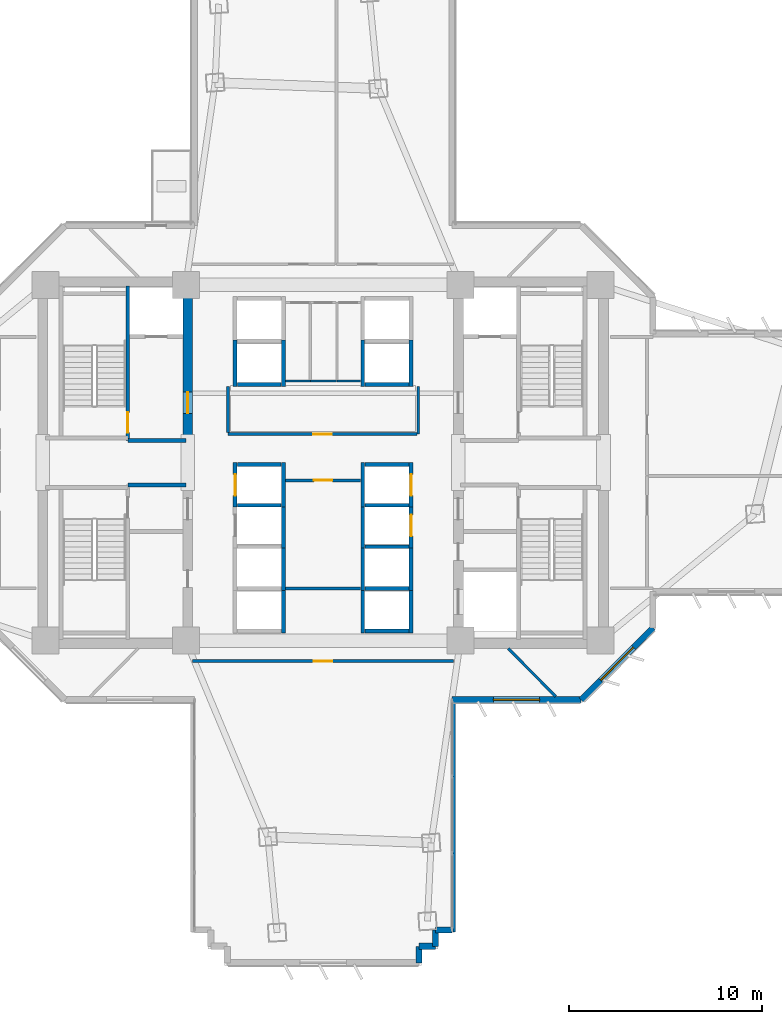
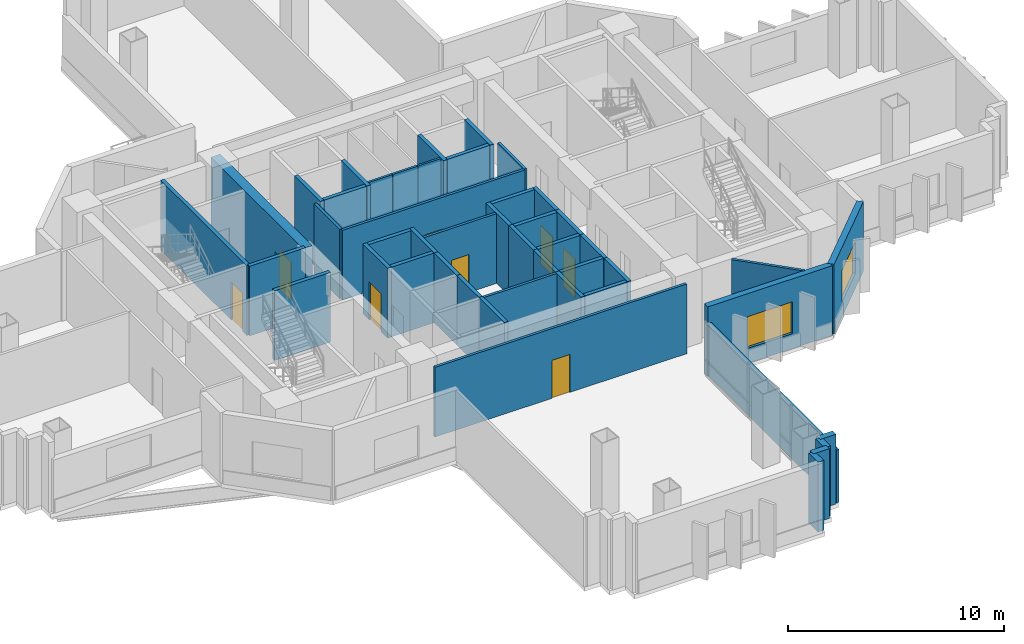
# One storey, part 6 of 14: 47 walls, 8 doors, 2 windows, 10 openings.
"""IFC4 building model written with IfcOpenShell, lengths in metres."""

from ifc_helpers import new_model, si_unit, direction, frame, frame_2d, origin, place, context, subcontext, project, spatial, rectangle, extrude, source, transform, mapped, material, layer, layer_set, type_object, element, fill, save


model = new_model("IFC4")

# Units and contexts
model_context = context("Model", 3, precision=1e-05, world=origin(), true_north=direction((0.0, 1.0)))
body_context = subcontext(model_context, "Body", "Model", "MODEL_VIEW")
ifc_project = project(units=[si_unit("LENGTHUNIT", "METRE"), si_unit("AREAUNIT", "SQUARE_METRE"), si_unit("VOLUMEUNIT", "CUBIC_METRE"), si_unit("PLANEANGLEUNIT", "RADIAN"), si_unit("MASSUNIT", "GRAM", prefix="KILO")], contexts=[model_context])

# Site, building, storey
site_placement = place(None, origin())
site = spatial("IfcSite", under=ifc_project, at=site_placement, CompositionType="ELEMENT")
building_placement = place(site_placement, origin())
building = spatial("IfcBuilding", under=site, at=building_placement, Name="Zahravan Cultural Tower", CompositionType="ELEMENT")
storey_placement = place(building_placement, frame((0.0, 0.0, 33.300048828125)))
storey = spatial("IfcBuildingStorey", under=building, at=storey_placement, Name="L06", CompositionType="ELEMENT", Elevation=33.300048828125)

# Wall, opening, door
ifc_material_1 = material(Name="Concrete C60/75", Category="concrete")
ifc_layer_1 = layer(ifc_material_1, 0.5)
ifc_layer_set_1 = layer_set([ifc_layer_1], Name="Concrete C60/75")
wall_type_1 = type_object("IfcWallType", Name="CW-SHEAR-500-C60", PredefinedType="SHEAR", material=ifc_layer_set_1)
wall_1_placement = place(storey_placement, frame((29.0, 28.050048828125, 0.0), z_axis=(0.0, 0.0, 1.0), x_axis=(0.0, 1.0, 0.0)))
wall_1 = element("IfcWall", 1, at=wall_1_placement, inside=storey, type_object=wall_type_1, Name="L06 Core Shear Wall CW-W-EN-L06", PredefinedType="SHEAR", context=body_context, shape_type="SweptSolid", body=[
    extrude(rectangle(XDim=8.550048828125, YDim=0.5, at=frame_2d((4.27490234375, 0.0))), origin(), (0.0, 0.0, 1.0), 3.949951171875),
])
opening_1_placement = place(wall_1_placement, frame((1.5, 0.0, 0.0)))
opening_1 = element("IfcOpeningElement", 2, at=opening_1_placement, cuts=wall_1, Name="Opening D-L06-05", PredefinedType="OPENING", context=body_context, shape_type="SweptSolid", body=[
    extrude(rectangle(XDim=1.10009765625, YDim=2.199951171875, at=frame_2d((0.550048828125, 1.10009765625))), frame((0.0, 0.260009765625, 0.0), z_axis=(0.0, -1.0, 0.0), x_axis=(1.0, 0.0, 0.0)), (0.0, 0.0, 1.0), 0.52001953125),
])
ifc_material_2 = material(Name="Steel ASTM A572 Grade 50", Category="steel")
door_type_1 = type_object("IfcDoorType", Name="DR-LOBBY-1100", OperationType="NOTDEFINED", PredefinedType="DOOR", material=ifc_material_2)
shared_shape_1 = source(origin(), body_context, "Body", "SweptSolid", [
    extrude(rectangle(XDim=1.10009765625, YDim=2.199951171875, at=frame_2d((0.550048828125, 1.10009765625))), frame((0.0, 0.02490234375, 0.0), z_axis=(0.0, -1.0, 0.0), x_axis=(1.0, 0.0, 0.0)), (0.0, 0.0, 1.0), 0.050048828125),
])
door_1_placement = place(opening_1_placement, origin())
door_1 = element("IfcDoor", 3, at=door_1_placement, inside=storey, type_object=door_type_1, Name="L06 Door D-L06-05", OperationType="SINGLE_SWING_RIGHT", OverallHeight=2.199951171875, OverallWidth=1.10009765625, PredefinedType="DOOR", context=body_context, shape_type="MappedRepresentation", body=[
    mapped(shared_shape_1, transform((0.0, 0.0, 0.0), x_axis=(1.0, 0.0, 0.0), y_axis=(0.0, 1.0, 0.0), z_axis=(0.0, 0.0, 1.0), scale=1.0)),
])
fill(opening_1, door_1)

# Wall, opening, window
ifc_material_3 = material(Name="Precast concrete C40/50", Category="concrete")
ifc_layer_2 = layer(ifc_material_3, 0.320068359375)
ifc_layer_set_2 = layer_set([ifc_layer_2], Name="Precast concrete C40/50")
wall_type_2 = type_object("IfcWallType", Name="EW-TC-320", PredefinedType="SOLIDWALL", material=ifc_layer_set_2)
wall_2_placement = place(storey_placement, frame((53.06005859375, 18.4580078125, 0.0), z_axis=(0.0, 0.0, 1.0), x_axis=(-0.707106781187, -0.707106781187, 0.0)))
wall_2 = element("IfcWall", 4, at=wall_2_placement, inside=storey, type_object=wall_type_2, Name="L06 Exterior Masonry Frame Wall 13", PredefinedType="SOLIDWALL", context=body_context, shape_type="SweptSolid", body=[
    extrude(rectangle(XDim=5.258056640625, YDim=0.320068359375, at=frame_2d((2.62890625, 0.0))), origin(), (0.0, 0.0, 1.0), 3.949951171875),
])
opening_2_placement = place(wall_2_placement, frame((1.428955078125, 0.0, 0.85009765625)))
opening_2 = element("IfcOpeningElement", 5, at=opening_2_placement, cuts=wall_2, Name="Opening WN-01", PredefinedType="OPENING", context=body_context, shape_type="SweptSolid", body=[
    extrude(rectangle(XDim=2.39990234375, YDim=1.800048828125, at=frame_2d((1.199951171875, 0.89990234375))), frame((0.0, 0.169921875, 0.0), z_axis=(0.0, -1.0, 0.0), x_axis=(1.0, 0.0, 0.0)), (0.0, 0.0, 1.0), 0.340087890625),
])
ifc_material_4 = material(Name="Low-E solar-control double glazing", Category="glass")
window_type = type_object("IfcWindowType", Name="WN-REC-2400X1800", PartitioningType="DOUBLE_PANEL_VERTICAL", PredefinedType="WINDOW", material=ifc_material_4)
shared_shape_2 = source(origin(), body_context, "Body", "SweptSolid", [
    extrude(rectangle(XDim=2.39990234375, YDim=1.800048828125, at=frame_2d((1.199951171875, 0.89990234375))), frame((0.0, 0.030029296875, 0.0), z_axis=(0.0, -1.0, 0.0), x_axis=(1.0, 0.0, 0.0)), (0.0, 0.0, 1.0), 0.06005859375),
])
window_1_placement = place(opening_2_placement, origin())
window_1 = element("IfcWindow", 6, at=window_1_placement, inside=storey, type_object=window_type, Name="L06 Recessed Solar Window 03", OverallHeight=1.800048828125, OverallWidth=2.39990234375, PartitioningType="DOUBLE_PANEL_VERTICAL", PredefinedType="WINDOW", context=body_context, shape_type="MappedRepresentation", body=[
    mapped(shared_shape_2, transform((0.0, 0.0, 0.0), x_axis=(1.0, 0.0, 0.0), y_axis=(0.0, 1.0, 0.0), z_axis=(0.0, 0.0, 1.0), scale=1.0)),
])
fill(opening_2, window_1)

wall_3_placement = place(storey_placement, frame((49.342041015625, 14.739990234375, 0.0), z_axis=(0.0, 0.0, 1.0), x_axis=(-1.0, 0.0, 0.0)))
wall_3 = element("IfcWall", 7, at=wall_3_placement, inside=storey, type_object=wall_type_2, Name="L06 Exterior Masonry Frame Wall 14", PredefinedType="SOLIDWALL", context=body_context, shape_type="SweptSolid", body=[
    extrude(rectangle(XDim=6.68212890625, YDim=0.320068359375, at=frame_2d((3.341064453125, 0.0))), origin(), (0.0, 0.0, 1.0), 3.949951171875),
])
opening_3_placement = place(wall_3_placement, frame((2.14111328125, 0.0, 0.85009765625)))
opening_3 = element("IfcOpeningElement", 8, at=opening_3_placement, cuts=wall_3, Name="Opening WN-01", PredefinedType="OPENING", context=body_context, shape_type="SweptSolid", body=[
    extrude(rectangle(XDim=2.39990234375, YDim=1.800048828125, at=frame_2d((1.199951171875, 0.89990234375))), frame((0.0, 0.169921875, 0.0), z_axis=(0.0, -1.0, 0.0), x_axis=(1.0, 0.0, 0.0)), (0.0, 0.0, 1.0), 0.340087890625),
])
window_2_placement = place(opening_3_placement, origin())
window_2 = element("IfcWindow", 9, at=window_2_placement, inside=storey, type_object=window_type, Name="L06 Recessed Solar Window 04", OverallHeight=1.800048828125, OverallWidth=2.39990234375, PartitioningType="DOUBLE_PANEL_VERTICAL", PredefinedType="WINDOW", context=body_context, shape_type="MappedRepresentation", body=[
    mapped(shared_shape_2, transform((0.0, 0.0, 0.0), x_axis=(1.0, 0.0, 0.0), y_axis=(0.0, 1.0, 0.0), z_axis=(0.0, 0.0, 1.0), scale=1.0)),
])
fill(opening_3, window_2)

# Wall, opening, door
ifc_material_5 = material(Name="Gypsum plasterboard partition")
ifc_layer_3 = layer(ifc_material_5, 0.139892578125)
ifc_layer_set_3 = layer_set([ifc_layer_3], Name="Gypsum plasterboard partition")
wall_type_3 = type_object("IfcWallType", Name="W-PART-140", PredefinedType="PARTITIONING", material=ifc_layer_set_3)
wall_4_placement = place(storey_placement, frame((34.054931640625, 26.080078125, 0.0), z_axis=(0.0, 0.0, 1.0), x_axis=(1.0, 0.0, 0.0)))
wall_4 = element("IfcWall", 10, at=wall_4_placement, inside=storey, type_object=wall_type_3, Name="L06 Interior Wall 074", PredefinedType="PARTITIONING", context=body_context, shape_type="SweptSolid", body=[
    extrude(rectangle(XDim=3.89013671875, YDim=0.139892578125, at=frame_2d((1.945068359375, 0.0))), origin(), (0.0, 0.0, 1.0), 3.949951171875),
])
opening_4_placement = place(wall_4_placement, frame((1.469970703125, 0.0, 0.0)))
opening_4 = element("IfcOpeningElement", 11, at=opening_4_placement, cuts=wall_4, Name="Opening D-L06-14", PredefinedType="OPENING", context=body_context, shape_type="SweptSolid", body=[
    extrude(rectangle(XDim=0.949951171875, YDim=2.14990234375, at=frame_2d((0.47509765625, 1.074951171875))), frame((0.0, 0.079833984375, 0.0), z_axis=(0.0, -1.0, 0.0), x_axis=(1.0, 0.0, 0.0)), (0.0, 0.0, 1.0), 0.159912109375),
])
ifc_material_6 = material(Name="Anodised bronze-aluminium mullion", Category="aluminium")
door_type_2 = type_object("IfcDoorType", Name="DR-ROOM-950", OperationType="NOTDEFINED", PredefinedType="DOOR", material=ifc_material_6)
shared_shape_3 = source(origin(), body_context, "Body", "SweptSolid", [
    extrude(rectangle(XDim=0.949951171875, YDim=2.14990234375, at=frame_2d((0.47509765625, 1.074951171875))), frame((0.0, 0.02490234375, 0.0), z_axis=(0.0, -1.0, 0.0), x_axis=(1.0, 0.0, 0.0)), (0.0, 0.0, 1.0), 0.050048828125),
])
door_2_placement = place(opening_4_placement, origin())
door_2 = element("IfcDoor", 12, at=door_2_placement, inside=storey, type_object=door_type_2, Name="L06 Door D-L06-14", OperationType="SINGLE_SWING_LEFT", OverallHeight=2.14990234375, OverallWidth=0.949951171875, PredefinedType="DOOR", context=body_context, shape_type="MappedRepresentation", body=[
    mapped(shared_shape_3, transform((0.0, 0.0, 0.0), x_axis=(1.0, 0.0, 0.0), y_axis=(0.0, 1.0, 0.0), z_axis=(0.0, 0.0, 1.0), scale=1.0)),
])
fill(opening_4, door_2)

wall_5_placement = place(storey_placement, frame((40.844970703125, 28.47998046875, 0.0), z_axis=(0.0, 0.0, 1.0), x_axis=(-1.0, 0.0, 0.0)))
wall_5 = element("IfcWall", 13, at=wall_5_placement, inside=storey, type_object=wall_type_3, Name="L06 Interior Wall 077", PredefinedType="PARTITIONING", context=body_context, shape_type="SweptSolid", body=[
    extrude(rectangle(XDim=9.764892578125, YDim=0.139892578125, at=frame_2d((4.88232421875, 0.0))), origin(), (0.0, 0.0, 1.0), 3.949951171875),
])
opening_5_placement = place(wall_5_placement, frame((4.407470703125, 0.0, 0.0)))
opening_5 = element("IfcOpeningElement", 14, at=opening_5_placement, cuts=wall_5, Name="Opening D-L06-15", PredefinedType="OPENING", context=body_context, shape_type="SweptSolid", body=[
    extrude(rectangle(XDim=0.949951171875, YDim=2.14990234375, at=frame_2d((0.47509765625, 1.074951171875))), frame((0.0, 0.079833984375, 0.0), z_axis=(0.0, -1.0, 0.0), x_axis=(1.0, 0.0, 0.0)), (0.0, 0.0, 1.0), 0.159912109375),
])
door_3_placement = place(opening_5_placement, origin())
door_3 = element("IfcDoor", 15, at=door_3_placement, inside=storey, type_object=door_type_2, Name="L06 Door D-L06-15", OperationType="SINGLE_SWING_RIGHT", OverallHeight=2.14990234375, OverallWidth=0.949951171875, PredefinedType="DOOR", context=body_context, shape_type="MappedRepresentation", body=[
    mapped(shared_shape_3, transform((0.0, 0.0, 0.0), x_axis=(1.0, 0.0, 0.0), y_axis=(0.0, 1.0, 0.0), z_axis=(0.0, 0.0, 1.0), scale=1.0)),
])
fill(opening_5, door_3)

wall_6_placement = place(storey_placement, frame((29.255859375, 16.739990234375, 0.0), z_axis=(0.0, 0.0, 1.0), x_axis=(1.0, 0.0, 0.0)))
wall_6 = element("IfcWall", 16, at=wall_6_placement, inside=storey, type_object=wall_type_3, Name="L06 Interior Wall 097", PredefinedType="PARTITIONING", context=body_context, shape_type="SweptSolid", body=[
    extrude(rectangle(XDim=13.48828125, YDim=0.139892578125, at=frame_2d((6.744140625, 0.0))), origin(), (0.0, 0.0, 1.0), 3.949951171875),
])
opening_6_placement = place(wall_6_placement, frame((6.26904296875, 0.0, 0.0)))
opening_6 = element("IfcOpeningElement", 17, at=opening_6_placement, cuts=wall_6, Name="Opening D-L06-22", PredefinedType="OPENING", context=body_context, shape_type="SweptSolid", body=[
    extrude(rectangle(XDim=0.949951171875, YDim=2.14990234375, at=frame_2d((0.47509765625, 1.074951171875))), frame((0.0, 0.079833984375, 0.0), z_axis=(0.0, -1.0, 0.0), x_axis=(1.0, 0.0, 0.0)), (0.0, 0.0, 1.0), 0.159912109375),
])
door_4_placement = place(opening_6_placement, origin())
door_4 = element("IfcDoor", 18, at=door_4_placement, inside=storey, type_object=door_type_2, Name="L06 Door D-L06-22", OperationType="SINGLE_SWING_LEFT", OverallHeight=2.14990234375, OverallWidth=0.949951171875, PredefinedType="DOOR", context=body_context, shape_type="MappedRepresentation", body=[
    mapped(shared_shape_3, transform((0.0, 0.0, 0.0), x_axis=(1.0, 0.0, 0.0), y_axis=(0.0, 1.0, 0.0), z_axis=(0.0, 0.0, 1.0), scale=1.0)),
])
fill(opening_6, door_4)

ifc_material_7 = material(Name="Concrete C45/55", Category="concrete")
ifc_layer_4 = layer(ifc_material_7, 0.199951171875)
ifc_layer_set_4 = layer_set([ifc_layer_4], Name="Concrete C45/55")
wall_type_4 = type_object("IfcWallType", Name="W-SHAFT-200", PredefinedType="SOLIDWALL", material=ifc_layer_set_4)
wall_7_placement = place(storey_placement, frame((25.89990234375, 28.14990234375, 0.0), z_axis=(0.0, 0.0, 1.0), x_axis=(0.0, 1.0, 0.0)))
wall_7 = element("IfcWall", 19, at=wall_7_placement, inside=storey, type_object=wall_type_4, Name="L06 Interior Wall 006", PredefinedType="SOLIDWALL", context=body_context, shape_type="SweptSolid", body=[
    extrude(rectangle(XDim=8.0, YDim=0.199951171875, at=frame_2d((4.0, 0.0))), origin(), (0.0, 0.0, 1.0), 3.949951171875),
])
opening_7_placement = place(wall_7_placement, frame((0.39990234375, 0.0, 0.0)))
opening_7 = element("IfcOpeningElement", 20, at=opening_7_placement, cuts=wall_7, Name="Opening D-L06-01", PredefinedType="OPENING", context=body_context, shape_type="SweptSolid", body=[
    extrude(rectangle(XDim=1.050048828125, YDim=2.14990234375, at=frame_2d((0.52490234375, 1.074951171875))), frame((0.0, 0.10986328125, 0.0), z_axis=(0.0, -1.0, 0.0), x_axis=(1.0, 0.0, 0.0)), (0.0, 0.0, 1.0), 0.219970703125),
])
door_type_3 = type_object("IfcDoorType", Name="DR-STAIR-1050", OperationType="NOTDEFINED", PredefinedType="DOOR", material=ifc_material_2)
shared_shape_4 = source(origin(), body_context, "Body", "SweptSolid", [
    extrude(rectangle(XDim=1.050048828125, YDim=2.14990234375, at=frame_2d((0.52490234375, 1.074951171875))), frame((0.0, 0.02490234375, 0.0), z_axis=(0.0, -1.0, 0.0), x_axis=(1.0, 0.0, 0.0)), (0.0, 0.0, 1.0), 0.050048828125),
])
door_5_placement = place(opening_7_placement, origin())
door_5 = element("IfcDoor", 21, at=door_5_placement, inside=storey, type_object=door_type_3, Name="L06 Door D-L06-01", OperationType="SINGLE_SWING_RIGHT", OverallHeight=2.14990234375, OverallWidth=1.050048828125, PredefinedType="DOOR", context=body_context, shape_type="MappedRepresentation", body=[
    mapped(shared_shape_4, transform((0.0, 0.0, 0.0), x_axis=(1.0, 0.0, 0.0), y_axis=(0.0, 1.0, 0.0), z_axis=(0.0, 0.0, 1.0), scale=1.0)),
])
fill(opening_7, door_5)

wall_8_placement = place(storey_placement, frame((31.449951171875, 24.699951171875, 0.0), z_axis=(0.0, 0.0, 1.0), x_axis=(0.0, 1.0, 0.0)))
wall_8 = element("IfcWall", 22, at=wall_8_placement, inside=storey, type_object=wall_type_4, Name="L06 Interior Wall 054", PredefinedType="SOLIDWALL", context=body_context, shape_type="SweptSolid", body=[
    extrude(rectangle(XDim=2.300048828125, YDim=0.199951171875, at=frame_2d((1.14990234375, 0.0))), origin(), (0.0, 0.0, 1.0), 3.949951171875),
])
opening_8_placement = place(wall_8_placement, frame((0.60009765625, 0.0, 0.0)))
opening_8 = element("IfcOpeningElement", 23, at=opening_8_placement, cuts=wall_8, Name="Opening LD-L06-04", PredefinedType="OPENING", context=body_context, shape_type="SweptSolid", body=[
    extrude(rectangle(XDim=1.10009765625, YDim=2.14990234375, at=frame_2d((0.550048828125, 1.074951171875))), frame((0.0, 0.10986328125, 0.0), z_axis=(0.0, -1.0, 0.0), x_axis=(1.0, 0.0, 0.0)), (0.0, 0.0, 1.0), 0.219970703125),
])
door_type_4 = type_object("IfcDoorType", Name="DR-LIFT-1100", OperationType="DOUBLE_DOOR_SLIDING", PredefinedType="DOOR", material=ifc_material_2)
shared_shape_5 = source(origin(), body_context, "Body", "SweptSolid", [
    extrude(rectangle(XDim=1.10009765625, YDim=2.14990234375, at=frame_2d((0.550048828125, 1.074951171875))), frame((0.0, 0.02490234375, 0.0), z_axis=(0.0, -1.0, 0.0), x_axis=(1.0, 0.0, 0.0)), (0.0, 0.0, 1.0), 0.050048828125),
])
door_6_placement = place(opening_8_placement, origin())
door_6 = element("IfcDoor", 24, at=door_6_placement, inside=storey, type_object=door_type_4, Name="L06 Door LD-L06-04", OperationType="DOUBLE_DOOR_SLIDING", OverallHeight=2.14990234375, OverallWidth=1.10009765625, PredefinedType="DOOR", context=body_context, shape_type="MappedRepresentation", body=[
    mapped(shared_shape_5, transform((0.0, 0.0, 0.0), x_axis=(1.0, 0.0, 0.0), y_axis=(0.0, 1.0, 0.0), z_axis=(0.0, 0.0, 1.0), scale=1.0)),
])
fill(opening_8, door_6)

wall_9_placement = place(storey_placement, frame((40.550048828125, 24.699951171875, 0.0), z_axis=(0.0, 0.0, 1.0), x_axis=(0.0, 1.0, 0.0)))
wall_9 = element("IfcWall", 25, at=wall_9_placement, inside=storey, type_object=wall_type_4, Name="L06 Interior Wall 061", PredefinedType="SOLIDWALL", context=body_context, shape_type="SweptSolid", body=[
    extrude(rectangle(XDim=2.300048828125, YDim=0.199951171875, at=frame_2d((1.14990234375, 0.0))), origin(), (0.0, 0.0, 1.0), 3.949951171875),
])
opening_9_placement = place(wall_9_placement, frame((0.60009765625, 0.0, 0.0)))
opening_9 = element("IfcOpeningElement", 26, at=opening_9_placement, cuts=wall_9, Name="Opening LD-L06-06", PredefinedType="OPENING", context=body_context, shape_type="SweptSolid", body=[
    extrude(rectangle(XDim=1.10009765625, YDim=2.14990234375, at=frame_2d((0.550048828125, 1.074951171875))), frame((0.0, 0.10986328125, 0.0), z_axis=(0.0, -1.0, 0.0), x_axis=(1.0, 0.0, 0.0)), (0.0, 0.0, 1.0), 0.219970703125),
])
door_7_placement = place(opening_9_placement, origin())
door_7 = element("IfcDoor", 27, at=door_7_placement, inside=storey, type_object=door_type_4, Name="L06 Door LD-L06-06", OperationType="DOUBLE_DOOR_SLIDING", OverallHeight=2.14990234375, OverallWidth=1.10009765625, PredefinedType="DOOR", context=body_context, shape_type="MappedRepresentation", body=[
    mapped(shared_shape_5, transform((0.0, 0.0, 0.0), x_axis=(1.0, 0.0, 0.0), y_axis=(0.0, 1.0, 0.0), z_axis=(0.0, 0.0, 1.0), scale=1.0)),
])
fill(opening_9, door_7)

wall_10_placement = place(storey_placement, frame((40.550048828125, 22.60009765625, 0.0), z_axis=(0.0, 0.0, 1.0), x_axis=(0.0, 1.0, 0.0)))
wall_10 = element("IfcWall", 28, at=wall_10_placement, inside=storey, type_object=wall_type_4, Name="L06 Interior Wall 065", PredefinedType="SOLIDWALL", context=body_context, shape_type="SweptSolid", body=[
    extrude(rectangle(XDim=2.2998046875, YDim=0.199951171875, at=frame_2d((1.14990234375, 0.0))), origin(), (0.0, 0.0, 1.0), 3.949951171875),
])
opening_10_placement = place(wall_10_placement, frame((0.60009765625, 0.0, 0.0)))
opening_10 = element("IfcOpeningElement", 29, at=opening_10_placement, cuts=wall_10, Name="Opening LD-L06-07", PredefinedType="OPENING", context=body_context, shape_type="SweptSolid", body=[
    extrude(rectangle(XDim=1.10009765625, YDim=2.14990234375, at=frame_2d((0.550048828125, 1.074951171875))), frame((0.0, 0.10986328125, 0.0), z_axis=(0.0, -1.0, 0.0), x_axis=(1.0, 0.0, 0.0)), (0.0, 0.0, 1.0), 0.219970703125),
])
door_8_placement = place(opening_10_placement, origin())
door_8 = element("IfcDoor", 30, at=door_8_placement, inside=storey, type_object=door_type_4, Name="L06 Door LD-L06-07", OperationType="DOUBLE_DOOR_SLIDING", OverallHeight=2.14990234375, OverallWidth=1.10009765625, PredefinedType="DOOR", context=body_context, shape_type="MappedRepresentation", body=[
    mapped(shared_shape_5, transform((0.0, 0.0, 0.0), x_axis=(1.0, 0.0, 0.0), y_axis=(0.0, 1.0, 0.0), z_axis=(0.0, 0.0, 1.0), scale=1.0)),
])
fill(opening_10, door_8)

# Walls
shared_shape_6 = source(origin(), body_context, "Body", "SweptSolid", [
    extrude(rectangle(XDim=0.849853515625, YDim=0.320068359375, at=frame_2d((0.4248046875, 0.0))), origin(), (0.0, 0.0, 1.0), 3.949951171875),
])
wall_11_placement = place(storey_placement, frame((42.659912109375, 2.840087890625, 0.0), z_axis=(0.0, 0.0, 1.0), x_axis=(-1.0, 0.0, 0.0)))
element("IfcWall", 31, at=wall_11_placement, inside=storey, type_object=wall_type_2, Name="L06 Exterior Masonry Frame Wall 15", PredefinedType="SOLIDWALL", context=body_context, shape_type="MappedRepresentation", body=[
    mapped(shared_shape_6, transform((0.0, 0.0, 0.0), x_axis=(1.0, 0.0, 0.0), y_axis=(0.0, 1.0, 0.0), z_axis=(0.0, 0.0, 1.0), scale=1.0)),
])
shared_shape_7 = source(origin(), body_context, "Body", "SweptSolid", [
    extrude(rectangle(XDim=0.85009765625, YDim=0.320068359375, at=frame_2d((0.425048828125, 0.0))), origin(), (0.0, 0.0, 1.0), 3.949951171875),
])
for number, where, z_axis, x_axis, name in (
    (32, (41.81005859375, 2.840087890625, 0.0), (0.0, 0.0, 1.0), (0.0, -1.0, 0.0), "L06 Exterior Masonry Frame Wall 16"),
    (33, (41.81005859375, 1.989990234375, 0.0), (0.0, 0.0, 1.0), (-1.0, 0.0, 0.0), "L06 Exterior Masonry Frame Wall 17"),
    (34, (40.9599609375, 1.989990234375, 0.0), (0.0, 0.0, 1.0), (0.0, -1.0, 0.0), "L06 Exterior Masonry Frame Wall 18"),
):
    element("IfcWall", number, at=place(storey_placement, frame(where, z_axis=z_axis, x_axis=x_axis)), inside=storey, type_object=wall_type_2, Name=name, PredefinedType="SOLIDWALL", context=body_context, shape_type="MappedRepresentation", body=[
        mapped(shared_shape_7, transform((0.0, 0.0, 0.0), x_axis=(1.0, 0.0, 0.0), y_axis=(0.0, 1.0, 0.0), z_axis=(0.0, 0.0, 1.0), scale=1.0)),
    ])
shared_shape_8 = source(origin(), body_context, "Body", "SweptSolid", [
    extrude(rectangle(XDim=3.0, YDim=0.199951171875, at=frame_2d((1.5, 0.0))), origin(), (0.0, 0.0, 1.0), 3.949951171875),
])
for number, where, z_axis, x_axis, name in (
    (35, (25.89990234375, 25.85009765625, 0.0), (0.0, 0.0, 1.0), (1.0, 0.0, 0.0), "L06 Interior Wall 010"),
    (36, (25.89990234375, 28.14990234375, 0.0), (0.0, 0.0, 1.0), (1.0, 0.0, 0.0), "L06 Interior Wall 012"),
):
    element("IfcWall", number, at=place(storey_placement, frame(where, z_axis=z_axis, x_axis=x_axis)), inside=storey, type_object=wall_type_4, Name=name, PredefinedType="SOLIDWALL", context=body_context, shape_type="MappedRepresentation", body=[
        mapped(shared_shape_8, transform((0.0, 0.0, 0.0), x_axis=(1.0, 0.0, 0.0), y_axis=(0.0, 1.0, 0.0), z_axis=(0.0, 0.0, 1.0), scale=1.0)),
    ])
shared_shape_9 = source(origin(), body_context, "Body", "SweptSolid", [
    extrude(rectangle(XDim=2.400146484375, YDim=0.199951171875, at=frame_2d((1.2001953125, 0.0))), origin(), (0.0, 0.0, 1.0), 3.949951171875),
])
for number, where, z_axis, x_axis, name in (
    (37, (31.449951171875, 30.949951171875, 0.0), (0.0, 0.0, 1.0), (0.0, 1.0, 0.0), "L06 Interior Wall 030"),
    (38, (33.949951171875, 30.949951171875, 0.0), (0.0, 0.0, 1.0), (0.0, 1.0, 0.0), "L06 Interior Wall 031"),
    (39, (38.050048828125, 30.949951171875, 0.0), (0.0, 0.0, 1.0), (0.0, 1.0, 0.0), "L06 Interior Wall 037"),
    (40, (40.550048828125, 30.949951171875, 0.0), (0.0, 0.0, 1.0), (0.0, 1.0, 0.0), "L06 Interior Wall 038"),
):
    element("IfcWall", number, at=place(storey_placement, frame(where, z_axis=z_axis, x_axis=x_axis)), inside=storey, type_object=wall_type_4, Name=name, PredefinedType="SOLIDWALL", context=body_context, shape_type="MappedRepresentation", body=[
        mapped(shared_shape_9, transform((0.0, 0.0, 0.0), x_axis=(1.0, 0.0, 0.0), y_axis=(0.0, 1.0, 0.0), z_axis=(0.0, 0.0, 1.0), scale=1.0)),
    ])
shared_shape_10 = source(origin(), body_context, "Body", "SweptSolid", [
    extrude(rectangle(XDim=2.260009765625, YDim=0.199951171875, at=frame_2d((1.1298828125, 0.0))), origin(), (0.0, 0.0, 1.0), 3.949951171875),
])
for number, where, z_axis, x_axis, name in (
    (41, (31.570068359375, 31.050048828125, 0.0), (0.0, 0.0, 1.0), (1.0, 0.0, 0.0), "L06 Interior Wall 032"),
    (42, (38.169921875, 31.050048828125, 0.0), (0.0, 0.0, 1.0), (1.0, 0.0, 0.0), "L06 Interior Wall 039"),
    (43, (38.169921875, 20.5, 0.0), (0.0, 0.0, 1.0), (1.0, 0.0, 0.0), "L06 Interior Wall 049"),
    (44, (38.169921875, 22.64990234375, 0.0), (0.0, 0.0, 1.0), (1.0, 0.0, 0.0), "L06 Interior Wall 050"),
    (45, (38.169921875, 18.300048828125, 0.0), (0.0, 0.0, 1.0), (1.0, 0.0, 0.0), "L06 Interior Wall 053"),
    (46, (31.570068359375, 24.800048828125, 0.0), (0.0, 0.0, 1.0), (1.0, 0.0, 0.0), "L06 Interior Wall 056"),
    (47, (31.570068359375, 26.89990234375, 0.0), (0.0, 0.0, 1.0), (1.0, 0.0, 0.0), "L06 Interior Wall 057"),
    (48, (38.169921875, 24.800048828125, 0.0), (0.0, 0.0, 1.0), (1.0, 0.0, 0.0), "L06 Interior Wall 062"),
    (49, (38.169921875, 26.89990234375, 0.0), (0.0, 0.0, 1.0), (1.0, 0.0, 0.0), "L06 Interior Wall 063"),
):
    element("IfcWall", number, at=place(storey_placement, frame(where, z_axis=z_axis, x_axis=x_axis)), inside=storey, type_object=wall_type_4, Name=name, PredefinedType="SOLIDWALL", context=body_context, shape_type="MappedRepresentation", body=[
        mapped(shared_shape_10, transform((0.0, 0.0, 0.0), x_axis=(1.0, 0.0, 0.0), y_axis=(0.0, 1.0, 0.0), z_axis=(0.0, 0.0, 1.0), scale=1.0)),
    ])
shared_shape_11 = source(origin(), body_context, "Body", "SweptSolid", [
    extrude(rectangle(XDim=2.35009765625, YDim=0.199951171875, at=frame_2d((1.175048828125, 0.0))), origin(), (0.0, 0.0, 1.0), 3.949951171875),
])
for number, where, z_axis, x_axis, name in (
    (50, (33.949951171875, 20.39990234375, 0.0), (0.0, 0.0, 1.0), (0.0, 1.0, 0.0), "L06 Interior Wall 041"),
    (51, (33.949951171875, 18.199951171875, 0.0), (0.0, 0.0, 1.0), (0.0, 1.0, 0.0), "L06 Interior Wall 045"),
    (52, (38.050048828125, 20.39990234375, 0.0), (0.0, 0.0, 1.0), (0.0, 1.0, 0.0), "L06 Interior Wall 047"),
    (53, (40.550048828125, 20.39990234375, 0.0), (0.0, 0.0, 1.0), (0.0, 1.0, 0.0), "L06 Interior Wall 048"),
    (54, (38.050048828125, 18.199951171875, 0.0), (0.0, 0.0, 1.0), (0.0, 1.0, 0.0), "L06 Interior Wall 051"),
    (55, (40.550048828125, 18.199951171875, 0.0), (0.0, 0.0, 1.0), (0.0, 1.0, 0.0), "L06 Interior Wall 052"),
):
    element("IfcWall", number, at=place(storey_placement, frame(where, z_axis=z_axis, x_axis=x_axis)), inside=storey, type_object=wall_type_4, Name=name, PredefinedType="SOLIDWALL", context=body_context, shape_type="MappedRepresentation", body=[
        mapped(shared_shape_11, transform((0.0, 0.0, 0.0), x_axis=(1.0, 0.0, 0.0), y_axis=(0.0, 1.0, 0.0), z_axis=(0.0, 0.0, 1.0), scale=1.0)),
    ])
shared_shape_12 = source(origin(), body_context, "Body", "SweptSolid", [
    extrude(rectangle(XDim=2.300048828125, YDim=0.199951171875, at=frame_2d((1.14990234375, 0.0))), origin(), (0.0, 0.0, 1.0), 3.949951171875),
])
for number, where, z_axis, x_axis, name in (
    (56, (33.949951171875, 24.699951171875, 0.0), (0.0, 0.0, 1.0), (0.0, 1.0, 0.0), "L06 Interior Wall 055"),
    (57, (38.050048828125, 24.699951171875, 0.0), (0.0, 0.0, 1.0), (0.0, 1.0, 0.0), "L06 Interior Wall 060"),
):
    element("IfcWall", number, at=place(storey_placement, frame(where, z_axis=z_axis, x_axis=x_axis)), inside=storey, type_object=wall_type_4, Name=name, PredefinedType="SOLIDWALL", context=body_context, shape_type="MappedRepresentation", body=[
        mapped(shared_shape_12, transform((0.0, 0.0, 0.0), x_axis=(1.0, 0.0, 0.0), y_axis=(0.0, 1.0, 0.0), z_axis=(0.0, 0.0, 1.0), scale=1.0)),
    ])
shared_shape_13 = source(origin(), body_context, "Body", "SweptSolid", [
    extrude(rectangle(XDim=2.2998046875, YDim=0.199951171875, at=frame_2d((1.14990234375, 0.0))), origin(), (0.0, 0.0, 1.0), 3.949951171875),
])
for number, where, z_axis, x_axis, name in (
    (58, (33.949951171875, 22.60009765625, 0.0), (0.0, 0.0, 1.0), (0.0, 1.0, 0.0), "L06 Interior Wall 059"),
    (59, (38.050048828125, 22.60009765625, 0.0), (0.0, 0.0, 1.0), (0.0, 1.0, 0.0), "L06 Interior Wall 064"),
):
    element("IfcWall", number, at=place(storey_placement, frame(where, z_axis=z_axis, x_axis=x_axis)), inside=storey, type_object=wall_type_4, Name=name, PredefinedType="SOLIDWALL", context=body_context, shape_type="MappedRepresentation", body=[
        mapped(shared_shape_13, transform((0.0, 0.0, 0.0), x_axis=(1.0, 0.0, 0.0), y_axis=(0.0, 1.0, 0.0), z_axis=(0.0, 0.0, 1.0), scale=1.0)),
    ])
ifc_layer_5 = layer(ifc_material_5, 0.114990234375)
ifc_layer_set_5 = layer_set([ifc_layer_5], Name="Gypsum plasterboard partition")
wall_type_5 = type_object("IfcWallType", Name="W-WC-115", PredefinedType="PARTITIONING", material=ifc_layer_set_5)
shared_shape_14 = source(origin(), body_context, "Body", "SweptSolid", [
    extrude(rectangle(XDim=1.22509765625, YDim=0.114990234375, at=frame_2d((0.612548828125, 0.0))), origin(), (0.0, 0.0, 1.0), 3.949951171875),
])
wall_12_placement = place(storey_placement, frame((37.945068359375, 31.219970703125, 0.0), z_axis=(0.0, 0.0, 1.0), x_axis=(-1.0, 0.0, 0.0)))
element("IfcWall", 60, at=wall_12_placement, inside=storey, type_object=wall_type_5, Name="L06 Interior Wall 066", PredefinedType="PARTITIONING", context=body_context, shape_type="MappedRepresentation", body=[
    mapped(shared_shape_14, transform((0.0, 0.0, 0.0), x_axis=(1.0, 0.0, 0.0), y_axis=(0.0, 1.0, 0.0), z_axis=(0.0, 0.0, 1.0), scale=1.0)),
])
shared_shape_15 = source(origin(), body_context, "Body", "SweptSolid", [
    extrude(rectangle(XDim=1.28515625, YDim=0.114990234375, at=frame_2d((0.642578125, 0.0))), origin(), (0.0, 0.0, 1.0), 3.949951171875),
])
wall_13_placement = place(storey_placement, frame((35.340087890625, 31.219970703125, 0.0), z_axis=(0.0, 0.0, 1.0), x_axis=(-1.0, 0.0, 0.0)))
element("IfcWall", 61, at=wall_13_placement, inside=storey, type_object=wall_type_5, Name="L06 Interior Wall 069", PredefinedType="PARTITIONING", context=body_context, shape_type="MappedRepresentation", body=[
    mapped(shared_shape_15, transform((0.0, 0.0, 0.0), x_axis=(1.0, 0.0, 0.0), y_axis=(0.0, 1.0, 0.0), z_axis=(0.0, 0.0, 1.0), scale=1.0)),
])
shared_shape_16 = source(origin(), body_context, "Body", "SweptSolid", [
    extrude(rectangle(XDim=1.33984375, YDim=0.114990234375, at=frame_2d((0.669921875, 0.0))), origin(), (0.0, 0.0, 1.0), 3.949951171875),
])
wall_14_placement = place(storey_placement, frame((36.699951171875, 31.219970703125, 0.0), z_axis=(0.0, 0.0, 1.0), x_axis=(-1.0, 0.0, 0.0)))
element("IfcWall", 62, at=wall_14_placement, inside=storey, type_object=wall_type_5, Name="L06 Interior Wall 072", PredefinedType="PARTITIONING", context=body_context, shape_type="MappedRepresentation", body=[
    mapped(shared_shape_16, transform((0.0, 0.0, 0.0), x_axis=(1.0, 0.0, 0.0), y_axis=(0.0, 1.0, 0.0), z_axis=(0.0, 0.0, 1.0), scale=1.0)),
])
shared_shape_17 = source(origin(), body_context, "Body", "SweptSolid", [
    extrude(rectangle(XDim=3.89013671875, YDim=0.139892578125, at=frame_2d((1.945068359375, 0.0))), origin(), (0.0, 0.0, 1.0), 3.949951171875),
])
wall_15_placement = place(storey_placement, frame((37.945068359375, 20.489990234375, 0.0), z_axis=(0.0, 0.0, 1.0), x_axis=(-1.0, 0.0, 0.0)))
element("IfcWall", 63, at=wall_15_placement, inside=storey, type_object=wall_type_3, Name="L06 Interior Wall 075", PredefinedType="PARTITIONING", context=body_context, shape_type="MappedRepresentation", body=[
    mapped(shared_shape_17, transform((0.0, 0.0, 0.0), x_axis=(1.0, 0.0, 0.0), y_axis=(0.0, 1.0, 0.0), z_axis=(0.0, 0.0, 1.0), scale=1.0)),
])
shared_shape_18 = source(origin(), body_context, "Body", "SweptSolid", [
    extrude(rectangle(XDim=2.469970703125, YDim=0.139892578125, at=frame_2d((1.23486328125, 0.0))), origin(), (0.0, 0.0, 1.0), 3.949951171875),
])
wall_16_placement = place(storey_placement, frame((40.919921875, 30.949951171875, 0.0), z_axis=(0.0, 0.0, 1.0), x_axis=(0.0, -1.0, 0.0)))
element("IfcWall", 64, at=wall_16_placement, inside=storey, type_object=wall_type_3, Name="L06 Interior Wall 076", PredefinedType="PARTITIONING", context=body_context, shape_type="MappedRepresentation", body=[
    mapped(shared_shape_18, transform((0.0, 0.0, 0.0), x_axis=(1.0, 0.0, 0.0), y_axis=(0.0, 1.0, 0.0), z_axis=(0.0, 0.0, 1.0), scale=1.0)),
])
shared_shape_19 = source(origin(), body_context, "Body", "SweptSolid", [
    extrude(rectangle(XDim=2.39501953125, YDim=0.139892578125, at=frame_2d((1.197509765625, 0.0))), origin(), (0.0, 0.0, 1.0), 3.949951171875),
])
wall_17_placement = place(storey_placement, frame((31.080078125, 28.554931640625, 0.0), z_axis=(0.0, 0.0, 1.0), x_axis=(0.0, 1.0, 0.0)))
element("IfcWall", 65, at=wall_17_placement, inside=storey, type_object=wall_type_3, Name="L06 Interior Wall 078", PredefinedType="PARTITIONING", context=body_context, shape_type="MappedRepresentation", body=[
    mapped(shared_shape_19, transform((0.0, 0.0, 0.0), x_axis=(1.0, 0.0, 0.0), y_axis=(0.0, 1.0, 0.0), z_axis=(0.0, 0.0, 1.0), scale=1.0)),
])
shared_shape_20 = source(origin(), body_context, "Body", "SweptSolid", [
    extrude(rectangle(XDim=3.505126953125, YDim=0.139892578125, at=frame_2d((1.75244140625, 0.0))), origin(), (0.0, 0.0, 1.0), 3.949951171875),
])
wall_18_placement = place(storey_placement, frame((48.035888671875, 14.905029296875, 0.0), z_axis=(0.0, 0.0, 1.0), x_axis=(-0.703790445361, 0.710407635811, 0.0)))
element("IfcWall", 66, at=wall_18_placement, inside=storey, type_object=wall_type_3, Name="L06 Interior Wall 087", PredefinedType="PARTITIONING", context=body_context, shape_type="MappedRepresentation", body=[
    mapped(shared_shape_20, transform((0.0, 0.0, 0.0), x_axis=(1.0, 0.0, 0.0), y_axis=(0.0, 1.0, 0.0), z_axis=(0.0, 0.0, 1.0), scale=1.0)),
])
shared_shape_21 = source(origin(), body_context, "Body", "SweptSolid", [
    extrude(rectangle(XDim=11.85498046875, YDim=0.139892578125, at=frame_2d((5.927490234375, 0.0))), origin(), (0.0, 0.0, 1.0), 3.010009765625),
])
wall_19_placement = place(storey_placement, frame((42.78369140625, 14.574951171875, 0.0), z_axis=(0.0, 0.0, 1.0), x_axis=(-0.000308908919, -0.999999952288, 0.0)))
element("IfcWall", 67, at=wall_19_placement, inside=storey, type_object=wall_type_3, Name="L06 Interior Wall 098", PredefinedType="PARTITIONING", context=body_context, shape_type="MappedRepresentation", body=[
    mapped(shared_shape_21, transform((0.0, 0.0, 0.0), x_axis=(1.0, 0.0, 0.0), y_axis=(0.0, 1.0, 0.0), z_axis=(0.0, 0.0, 1.0), scale=1.0)),
])

save(model, "model.ifc")
